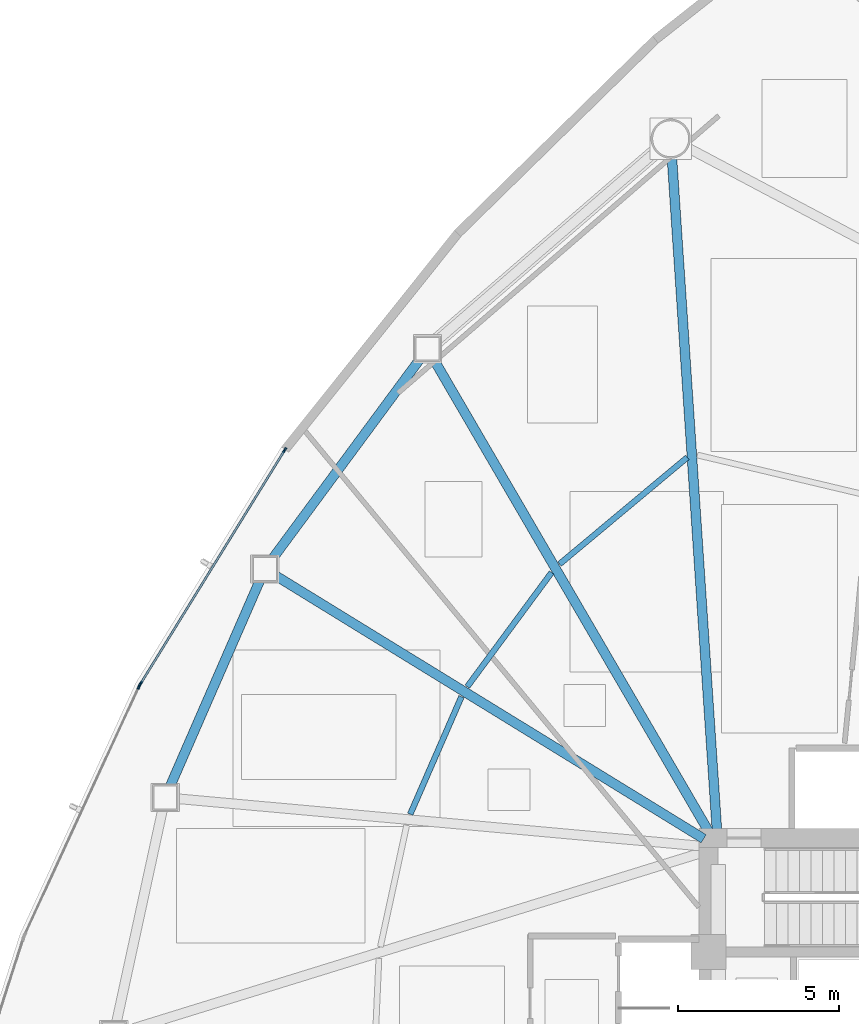
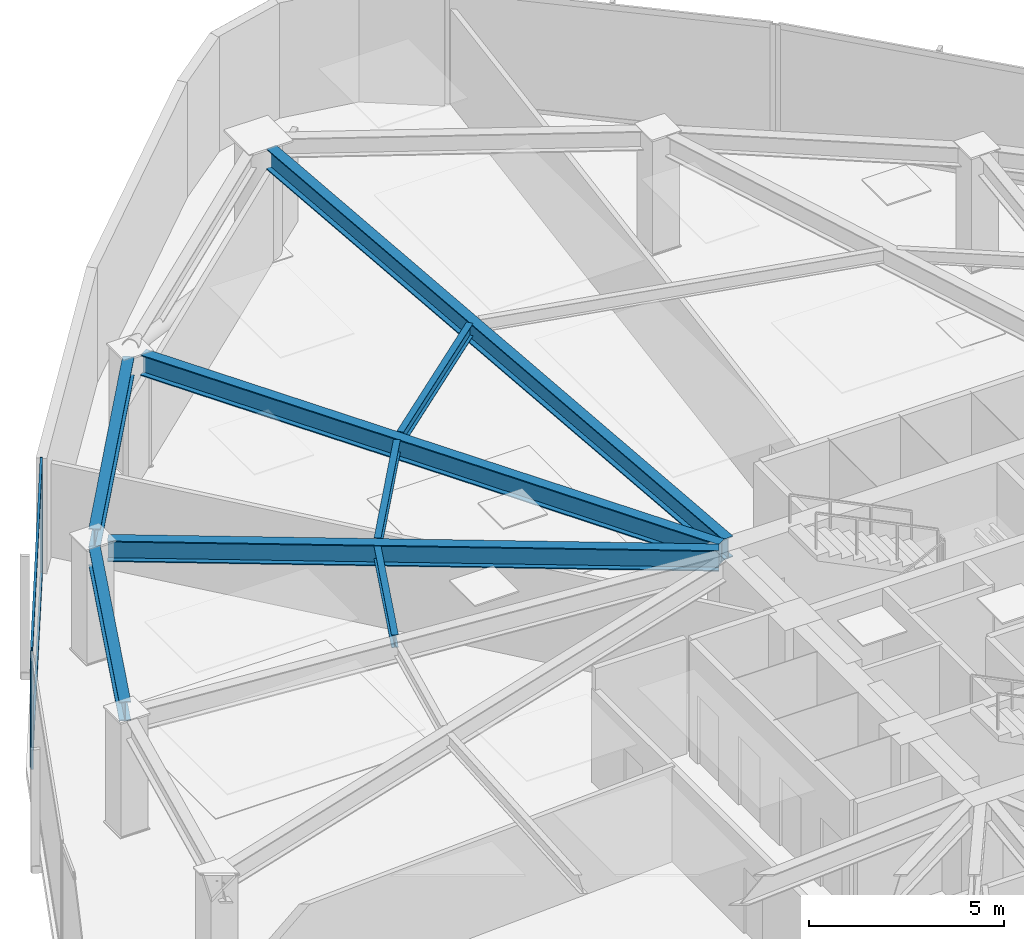
# One storey, part 7 of 16: 8 beams, 5 members, 2 elements without a shape of their own.
"""IFC4 building model written with IfcOpenShell, lengths in metres."""

from ifc_helpers import new_model, si_unit, direction, frame, origin, origin_2d, place, context, subcontext, project, spatial, hollow_rectangle, i_section, extrude, source, transform, mapped, material, layer, layer_set, material_profile, profile_set, type_object, type_shapes, element, aggregate, save


model = new_model("IFC4")

# Units and contexts
model_context = context("Model", 3, precision=1e-05, world=origin(), true_north=direction((0.0, 1.0)))
body_context = subcontext(model_context, "Body", "Model", "MODEL_VIEW")
ifc_project = project(units=[si_unit("LENGTHUNIT", "METRE"), si_unit("AREAUNIT", "SQUARE_METRE"), si_unit("VOLUMEUNIT", "CUBIC_METRE"), si_unit("PLANEANGLEUNIT", "RADIAN"), si_unit("MASSUNIT", "GRAM", prefix="KILO")], contexts=[model_context])

# Site, building, storey
site_placement = place(None, origin())
site = spatial("IfcSite", under=ifc_project, at=site_placement, CompositionType="ELEMENT")
building_placement = place(site_placement, origin())
building = spatial("IfcBuilding", under=site, at=building_placement, Name="Tavelor Broadcast Tower", CompositionType="ELEMENT")
storey_placement = place(building_placement, frame((0.0, 0.0, 31.5)))
storey = spatial("IfcBuildingStorey", under=building, at=storey_placement, Name="L06", CompositionType="ELEMENT", Elevation=31.5)

# Beams
ifc_material_1 = material(Name="Steel S355", Category="steel")
ifc_material_profile_1 = material_profile(ifc_material_1, i_section(OverallWidth=0.179931640625, OverallDepth=0.39990234375, WebThickness=0.008544921875, FlangeThickness=0.013427734375, at=origin_2d()), Name="IPE 400")
ifc_profile_set_1 = profile_set([ifc_material_profile_1], Name="Steel S355")
beam_type_1 = type_object("IfcBeamType", Name="Composite Floor Joist T1 IPE 400", PredefinedType="JOIST", material=ifc_profile_set_1)
beam_1_placement = place(storey_placement, frame((42.4404296875, 63.345947265625, 3.39990234375), z_axis=(-0.767560074089, -0.640977014146, 0.0), x_axis=(0.640977014146, -0.767560074089, 0.0)))
element("IfcBeam", 1, at=beam_1_placement, inside=storey, type_object=beam_type_1, Name="L06 Secondary Composite Floor Joist 01", PredefinedType="JOIST", context=body_context, shape_type="SweptSolid", body=[
    extrude(i_section(OverallWidth=0.179931640625, OverallDepth=0.39990234375, WebThickness=0.008544921875, FlangeThickness=0.013427734375, at=origin_2d()), origin(), (0.0, 0.0, 1.0), 5.178466796875),
])
beam_2_placement = place(storey_placement, frame((38.218994140625, 59.764892578125, 3.39990234375), z_axis=(-0.594310286319, -0.804235838281, 0.0), x_axis=(0.804235838281, -0.594310286319, 0.0)))
element("IfcBeam", 2, at=beam_2_placement, inside=storey, type_object=beam_type_1, Name="L06 Secondary Composite Floor Joist 02", PredefinedType="JOIST", context=body_context, shape_type="SweptSolid", body=[
    extrude(i_section(OverallWidth=0.179931640625, OverallDepth=0.39990234375, WebThickness=0.008544921875, FlangeThickness=0.013427734375, at=origin_2d()), origin(), (0.0, 0.0, 1.0), 4.41943359375),
])
beam_3_placement = place(storey_placement, frame((35.41259765625, 55.899169921875, 3.39990234375), z_axis=(-0.399676346619, -0.916656324886, 0.0), x_axis=(0.916656324886, -0.399676346619, 0.0)))
element("IfcBeam", 3, at=beam_3_placement, inside=storey, type_object=beam_type_1, Name="L06 Secondary Composite Floor Joist 03", PredefinedType="JOIST", context=body_context, shape_type="SweptSolid", body=[
    extrude(i_section(OverallWidth=0.179931640625, OverallDepth=0.39990234375, WebThickness=0.008544921875, FlangeThickness=0.013427734375, at=origin_2d()), origin(), (0.0, 0.0, 1.0), 3.991943359375),
])
ifc_material_profile_2 = material_profile(ifc_material_1, i_section(OverallWidth=0.300048828125, OverallDepth=0.60009765625, WebThickness=0.015380859375, FlangeThickness=0.030029296875, at=origin_2d()), Name="HEB 600")
ifc_profile_set_2 = profile_set([ifc_material_profile_2], Name="Steel S355")
beam_type_2 = type_object("IfcBeamType", Name="Perimeter Spandrel Beam T1 HEB 600", PredefinedType="SPANDREL", material=ifc_profile_set_2)
beam_4_placement = place(storey_placement, frame((34.1279296875, 66.4189453125, 3.300048828125), z_axis=(-0.59410601814, -0.804386747286, 0.0), x_axis=(0.804386747286, -0.59410601814, 0.0)))
element("IfcBeam", 4, at=beam_4_placement, inside=storey, type_object=beam_type_2, Name="L06 Framed-Tube Ring Spandrel 02", PredefinedType="SPANDREL", context=body_context, shape_type="SweptSolid", body=[
    extrude(i_section(OverallWidth=0.300048828125, OverallDepth=0.60009765625, WebThickness=0.015380859375, FlangeThickness=0.030029296875, at=origin_2d()), origin(), (0.0, 0.0, 1.0), 7.755615234375),
])
beam_5_placement = place(storey_placement, frame((29.138671875, 59.51953125, 3.300048828125), z_axis=(-0.399831402863, -0.916588702355, 0.0), x_axis=(0.916588702355, -0.399831402863, 0.0)))
element("IfcBeam", 5, at=beam_5_placement, inside=storey, type_object=beam_type_2, Name="L06 Framed-Tube Ring Spandrel 03", PredefinedType="SPANDREL", context=body_context, shape_type="SweptSolid", body=[
    extrude(i_section(OverallWidth=0.300048828125, OverallDepth=0.60009765625, WebThickness=0.015380859375, FlangeThickness=0.030029296875, at=origin_2d()), origin(), (0.0, 0.0, 1.0), 6.99267578125),
])
ifc_material_profile_3 = material_profile(ifc_material_1, i_section(OverallWidth=0.300048828125, OverallDepth=0.64990234375, WebThickness=0.01611328125, FlangeThickness=0.031005859375, at=origin_2d()), Name="HEB 650")
ifc_profile_set_3 = profile_set([ifc_material_profile_3], Name="Steel S355")
beam_type_3 = type_object("IfcBeamType", Name="Radial Floor Girder T1 HEB 650", PredefinedType="BEAM", material=ifc_profile_set_3)
beam_6_placement = place(storey_placement, frame((43.36474609375, 51.726806640625, 3.27490234375), z_axis=(-0.066781325407, 0.997767635563, 0.0), x_axis=(-0.997767635563, -0.066781325407, 0.0)))
element("IfcBeam", 6, at=beam_6_placement, inside=storey, type_object=beam_type_3, Name="L06 Radial Primary Floor Girder 01", PredefinedType="BEAM", context=body_context, shape_type="SweptSolid", body=[
    extrude(i_section(OverallWidth=0.300048828125, OverallDepth=0.64990234375, WebThickness=0.01611328125, FlangeThickness=0.031005859375, at=origin_2d()), origin(), (0.0, 0.0, 1.0), 21.002685546875),
])
beam_7_placement = place(storey_placement, frame((43.13427734375, 51.65625, 3.27490234375), z_axis=(-0.503292471027, 0.864116131436, 0.0), x_axis=(-0.864116131436, -0.503292471027, 0.0)))
element("IfcBeam", 7, at=beam_7_placement, inside=storey, type_object=beam_type_3, Name="L06 Radial Primary Floor Girder 02", PredefinedType="BEAM", context=body_context, shape_type="SweptSolid", body=[
    extrude(i_section(OverallWidth=0.300048828125, OverallDepth=0.64990234375, WebThickness=0.01611328125, FlangeThickness=0.031005859375, at=origin_2d()), origin(), (0.0, 0.0, 1.0), 17.0576171875),
])
beam_8_placement = place(storey_placement, frame((42.9501953125, 51.4765625, 3.27490234375), z_axis=(-0.851935691671, 0.523646423894, 0.0), x_axis=(-0.523646423894, -0.851935691671, 0.0)))
element("IfcBeam", 8, at=beam_8_placement, inside=storey, type_object=beam_type_3, Name="L06 Radial Primary Floor Girder 03", PredefinedType="BEAM", context=body_context, shape_type="SweptSolid", body=[
    extrude(i_section(OverallWidth=0.300048828125, OverallDepth=0.64990234375, WebThickness=0.01611328125, FlangeThickness=0.031005859375, at=origin_2d()), origin(), (0.0, 0.0, 1.0), 15.647705078125),
])

# Curtain wall, members
ifc_material_2 = material(Name="Architectural Anodized Aluminium", Category="aluminium")
ifc_layer = layer(ifc_material_2, 0.179931640625)
ifc_layer_set = layer_set([ifc_layer], Name="Architectural Anodized Aluminium")
curtain_wall_type = type_object("IfcCurtainWallType", Name="Tower Low-Zone Unitised Curtain Wall CW02", PredefinedType="NOTDEFINED", material=ifc_layer_set)
curtain_wall_1_placement = place(storey_placement, origin())
curtain_wall_1 = element("IfcCurtainWall", 9, at=curtain_wall_1_placement, inside=storey, type_object=curtain_wall_type, Name="L06 Curtain Wall CW02 Run 25", PredefinedType="NOTDEFINED")
ifc_material_profile_4 = material_profile(ifc_material_2, hollow_rectangle(XDim=0.06494140625, YDim=0.179931640625, WallThickness=0.02197265625, at=origin_2d()), Name="RHS 65x180x22")
ifc_profile_set_4 = profile_set([ifc_material_profile_4], Name="Architectural Anodized Aluminium")
member_type_1 = type_object("IfcMemberType", Name="CW02 Extruded Aluminium Mullion 65x180", PredefinedType="MULLION", material=ifc_profile_set_4)
shared_shape_1 = source(origin(), body_context, "Body", "SweptSolid", [
    extrude(hollow_rectangle(XDim=0.06494140625, YDim=0.179931640625, WallThickness=0.02197265625, at=origin_2d()), origin(), (0.0, 0.0, 1.0), 3.60009765625),
])
type_shapes(member_type_1, [shared_shape_1])
member_1_placement = place(storey_placement, frame((29.90673828125, 63.567626953125, 0.0), z_axis=(0.0, 0.0, 1.0), x_axis=(0.8510319235, -0.525113954474, 0.0)))
member_1 = element("IfcMember", 10, at=member_1_placement, type_object=member_type_1, Name="CW02 mullion 1", PredefinedType="MULLION", context=body_context, shape_type="MappedRepresentation", body=[
    mapped(shared_shape_1, transform((0.0, 0.0, 0.0), scale=1.0)),
])
member_2_placement = place(storey_placement, frame((25.42333984375, 56.301513671875, 0.0), z_axis=(0.0, 0.0, 1.0), x_axis=(0.8510319235, -0.525113954474, 0.0)))
member_2 = element("IfcMember", 11, at=member_2_placement, type_object=member_type_1, Name="CW02 mullion 2", PredefinedType="MULLION", context=body_context, shape_type="MappedRepresentation", body=[
    mapped(shared_shape_1, transform((0.0, 0.0, 0.0), scale=1.0)),
])

# Curtain wall, member
curtain_wall_2_placement = place(storey_placement, origin())
curtain_wall_2 = element("IfcCurtainWall", 12, at=curtain_wall_2_placement, inside=storey, type_object=curtain_wall_type, Name="L06 Curtain Wall CW02 Run 26", PredefinedType="NOTDEFINED")
member_3_placement = place(storey_placement, frame((25.37841796875, 56.2177734375, 0.0), z_axis=(0.0, 0.0, 1.0), x_axis=(0.908331858323, -0.418250206402, 0.0)))
member_3 = element("IfcMember", 13, at=member_3_placement, type_object=member_type_1, Name="CW02 mullion 1", PredefinedType="MULLION", context=body_context, shape_type="MappedRepresentation", body=[
    mapped(shared_shape_1, transform((0.0, 0.0, 0.0), scale=1.0)),
])
aggregate(curtain_wall_2, [member_3])

# Member
ifc_material_profile_5 = material_profile(ifc_material_2, hollow_rectangle(XDim=0.06494140625, YDim=0.179931640625, WallThickness=0.02197265625, at=origin_2d()), Name="RHS 65x180x22")
ifc_profile_set_5 = profile_set([ifc_material_profile_5], Name="Architectural Anodized Aluminium")
member_type_2 = type_object("IfcMemberType", Name="CW02 Extruded Aluminium Transom 65x180", PredefinedType="USERDEFINED", material=ifc_profile_set_5)
shared_shape_2 = source(origin(), body_context, "Body", "SweptSolid", [
    extrude(hollow_rectangle(XDim=0.06494140625, YDim=0.179931640625, WallThickness=0.02197265625, at=origin_2d()), origin(), (0.0, 0.0, 1.0), 8.47314453125),
])
type_shapes(member_type_2, [shared_shape_2])
member_4_placement = place(storey_placement, frame((29.8896484375, 63.5400390625, 0.032470703125), z_axis=(-0.525100222807, -0.851040396226, 0.0), x_axis=(0.851040396226, -0.525100222807, 0.0)))
member_4 = element("IfcMember", 14, at=member_4_placement, type_object=member_type_2, Name="CW02 transom 1.1", ObjectType="TRANSOM", PredefinedType="USERDEFINED", context=body_context, shape_type="MappedRepresentation", body=[
    mapped(shared_shape_2, transform((0.0, 0.0, 0.0), scale=1.0)),
])

member_5_placement = place(storey_placement, frame((29.8896484375, 63.5400390625, 3.5673828125), z_axis=(-0.525100222807, -0.851040396226, 0.0), x_axis=(0.851040396226, -0.525100222807, 0.0)))
member_5 = element("IfcMember", 15, at=member_5_placement, type_object=member_type_2, Name="CW02 transom 1.2", ObjectType="TRANSOM", PredefinedType="USERDEFINED", context=body_context, shape_type="MappedRepresentation", body=[
    mapped(shared_shape_2, transform((0.0, 0.0, 0.0), scale=1.0)),
])

aggregate(curtain_wall_1, [member_1, member_2, member_4, member_5])

save(model, "model.ifc")
